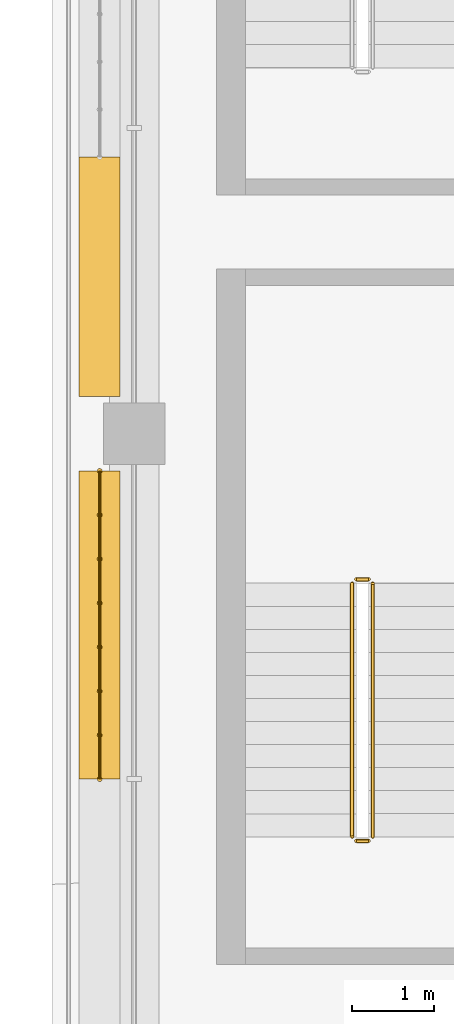
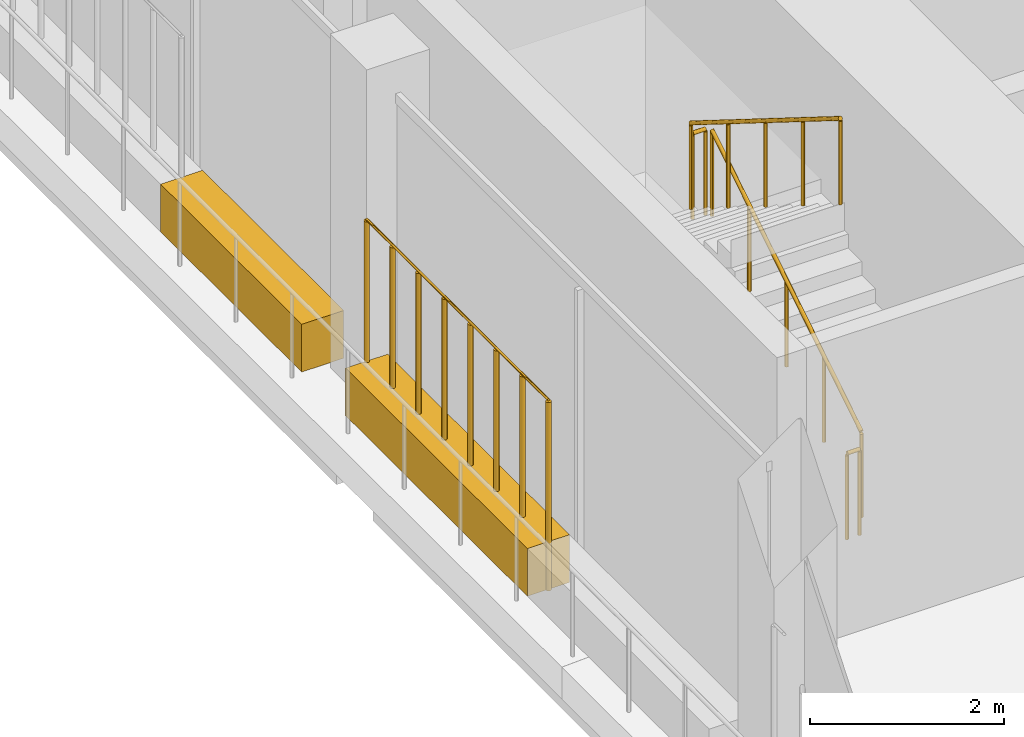
# One storey, part 16 of 20: 5 railings, 2 coverings.
"""IFC4 building model written with IfcOpenShell, lengths in metres."""

from ifc_helpers import new_model, si_unit, direction, frame, origin, origin_2d, place, context, subcontext, project, spatial, rectangle, circle, extrude, material, material_profile, profile_set, type_object, element, save


model = new_model("IFC4")

# Units and contexts
model_context = context("Model", 3, precision=1e-05, world=origin(), true_north=direction((0.0, 1.0)))
body_context = subcontext(model_context, "Body", "Model", "MODEL_VIEW")
ifc_project = project(units=[si_unit("LENGTHUNIT", "METRE"), si_unit("AREAUNIT", "SQUARE_METRE"), si_unit("VOLUMEUNIT", "CUBIC_METRE"), si_unit("PLANEANGLEUNIT", "RADIAN"), si_unit("MASSUNIT", "GRAM", prefix="KILO")], contexts=[model_context])

# Site, building, storey
site_placement = place(None, origin())
site = spatial("IfcSite", under=ifc_project, at=site_placement, CompositionType="ELEMENT")
building_placement = place(site_placement, origin())
building = spatial("IfcBuilding", under=site, at=building_placement, Name="Kawkab Arch Medical Tower", CompositionType="ELEMENT")
storey_placement = place(building_placement, frame((0.0, 0.0, 328.0)))
storey = spatial("IfcBuildingStorey", under=building, at=storey_placement, Name="L76", CompositionType="ELEMENT", Elevation=328.0)

# Coverings
ifc_material_1 = material(Name="Planting soil in a precast trough", Category="concrete")
ifc_material_profile = material_profile(ifc_material_1, rectangle(XDim=0.5, YDim=0.60009765625, at=origin_2d()), Name="Trough 500x600")
ifc_profile_set = profile_set([ifc_material_profile], Name="Planting soil in a precast trough")
covering_type = type_object("IfcCoveringType", Name="Planter trough 500 x 600", PredefinedType="USERDEFINED", material=ifc_profile_set)
covering_1_placement = place(storey_placement, frame((-0.419921875, -21.0, 0.300048828125), z_axis=(0.0, 1.0, 0.0), x_axis=(-1.0, 0.0, 0.0)))
element("IfcCovering", 1, at=covering_1_placement, inside=storey, type_object=covering_type, Name="Planter L76.LOG-01-01.7", ObjectType="PLANTER", PredefinedType="USERDEFINED", context=body_context, shape_type="SweptSolid", body=[
    extrude(rectangle(XDim=0.5, YDim=0.60009765625, at=origin_2d()), origin(), (0.0, 0.0, 1.0), 3.7470703125),
])
covering_2_placement = place(storey_placement, frame((-0.419921875, -16.346923828125, 0.300048828125), z_axis=(0.0, 1.0, 0.0), x_axis=(-1.0, 0.0, 0.0)))
element("IfcCovering", 2, at=covering_2_placement, inside=storey, type_object=covering_type, Name="Planter L76.LOG-01-01.8", ObjectType="PLANTER", PredefinedType="USERDEFINED", context=body_context, shape_type="SweptSolid", body=[
    extrude(rectangle(XDim=0.5, YDim=0.60009765625, at=origin_2d()), origin(), (0.0, 0.0, 1.0), 2.909912109375),
])

# Railings
ifc_material_2 = material(Name="Bronze anodised aluminium trellis for climbing plants", Category="aluminium")
railing_type_1 = type_object("IfcRailingType", Name="Planting trellis 2400", PredefinedType="USERDEFINED", material=ifc_material_2)
railing_1_placement = place(storey_placement, frame((-0.419921875, -21.0, 0.0)))
element("IfcRailing", 3, at=railing_1_placement, inside=storey, type_object=railing_type_1, Name="Planting trellis L76.LOG-01-01.7", ObjectType="TRELLIS", PredefinedType="USERDEFINED", context=body_context, shape_type="SweptSolid", body=[
    extrude(circle(Radius=0.01513671875, at=origin_2d()), frame((0.0, 0.0, 2.384765625), z_axis=(0.0, 1.0, 0.0), x_axis=(-1.0, 0.0, 0.0)), (0.0, 0.0, 1.0), 3.7470703125),
    extrude(circle(Radius=0.030029296875, at=origin_2d()), origin(), (0.0, 0.0, 1.0), 2.369873046875),
    extrude(circle(Radius=0.030029296875, at=origin_2d()), frame((0.0, 0.535400390625, 0.0)), (0.0, 0.0, 1.0), 2.369873046875),
    extrude(circle(Radius=0.030029296875, at=origin_2d()), frame((0.0, 1.070556640625, 0.0)), (0.0, 0.0, 1.0), 2.369873046875),
    extrude(circle(Radius=0.030029296875, at=origin_2d()), frame((0.0, 1.60595703125, 0.0)), (0.0, 0.0, 1.0), 2.369873046875),
    extrude(circle(Radius=0.030029296875, at=origin_2d()), frame((0.0, 2.14111328125, 0.0)), (0.0, 0.0, 1.0), 2.369873046875),
    extrude(circle(Radius=0.030029296875, at=origin_2d()), frame((0.0, 2.676513671875, 0.0)), (0.0, 0.0, 1.0), 2.369873046875),
    extrude(circle(Radius=0.030029296875, at=origin_2d()), frame((0.0, 3.211669921875, 0.0)), (0.0, 0.0, 1.0), 2.369873046875),
    extrude(circle(Radius=0.030029296875, at=origin_2d()), frame((0.0, 3.7470703125, 0.0)), (0.0, 0.0, 1.0), 2.369873046875),
])
ifc_material_3 = material(Name="Stainless steel", Category="steel")
railing_type_2 = type_object("IfcRailingType", Name="Stair guard 1100", PredefinedType="GUARDRAIL", material=ifc_material_3)
railing_2_placement = place(storey_placement, frame((2.89990234375, -21.699951171875, 0.175048828125)))
element("IfcRailing", 4, at=railing_2_placement, inside=storey, type_object=railing_type_2, Name="L76 ST2 stair guard 1", PredefinedType="GUARDRAIL", context=body_context, shape_type="SweptSolid", body=[
    extrude(circle(Radius=0.02392578125, at=origin_2d()), frame((0.0, 0.0, 1.076171875), z_axis=(0.0, 0.847979421464, 0.530029150871), x_axis=(-1.0, 0.0, 0.0)), (0.0, 0.0, 1.0), 3.632080078125),
    extrude(circle(Radius=0.02099609375, at=origin_2d()), origin(), (0.0, 0.0, 1.0), 1.052001953125),
    extrude(circle(Radius=0.02099609375, at=origin_2d()), frame((0.0, 0.77001953125, 0.481201171875)), (0.0, 0.0, 1.0), 1.052001953125),
    extrude(circle(Radius=0.02099609375, at=origin_2d()), frame((0.0, 1.5400390625, 0.96240234375)), (0.0, 0.0, 1.0), 1.052001953125),
    extrude(circle(Radius=0.02099609375, at=origin_2d()), frame((0.0, 2.309814453125, 1.44384765625)), (0.0, 0.0, 1.0), 1.052001953125),
    extrude(circle(Radius=0.02099609375, at=origin_2d()), frame((0.0, 3.079833984375, 1.925048828125)), (0.0, 0.0, 1.0), 1.052001953125),
])
railing_3_placement = place(storey_placement, frame((2.85009765625, -18.570068359375, 2.10009765625)))
element("IfcRailing", 5, at=railing_3_placement, inside=storey, type_object=railing_type_2, Name="L76 ST2 stair guard 2", PredefinedType="GUARDRAIL", context=body_context, shape_type="SweptSolid", body=[
    extrude(circle(Radius=0.02392578125, at=origin_2d()), frame((0.0, 0.0, 1.076171875), z_axis=(-1.0, 0.0, 0.0), x_axis=(0.0, -1.0, 0.0)), (0.0, 0.0, 1.0), 0.150146484375),
    extrude(circle(Radius=0.02099609375, at=origin_2d()), origin(), (0.0, 0.0, 1.0), 1.052001953125),
    extrude(circle(Radius=0.02099609375, at=origin_2d()), frame((-0.150146484375, 0.0, 0.0)), (0.0, 0.0, 1.0), 1.052001953125),
])
railing_4_placement = place(storey_placement, frame((2.64990234375, -18.6201171875, 2.27490234375)))
element("IfcRailing", 6, at=railing_4_placement, inside=storey, type_object=railing_type_2, Name="L76 ST2 stair guard 3", PredefinedType="GUARDRAIL", context=body_context, shape_type="SweptSolid", body=[
    extrude(circle(Radius=0.02392578125, at=origin_2d()), frame((0.0, 0.0, 1.076171875), z_axis=(0.0, -0.847979421464, 0.530029150871), x_axis=(1.0, 0.0, 0.0)), (0.0, 0.0, 1.0), 3.632080078125),
    extrude(circle(Radius=0.02099609375, at=origin_2d()), origin(), (0.0, 0.0, 1.0), 1.052001953125),
    extrude(circle(Radius=0.02099609375, at=origin_2d()), frame((0.0, -0.77001953125, 0.481201171875)), (0.0, 0.0, 1.0), 1.052001953125),
    extrude(circle(Radius=0.02099609375, at=origin_2d()), frame((0.0, -1.5400390625, 0.96240234375)), (0.0, 0.0, 1.0), 1.052001953125),
    extrude(circle(Radius=0.02099609375, at=origin_2d()), frame((0.0, -2.309814453125, 1.44384765625)), (0.0, 0.0, 1.0), 1.052001953125),
    extrude(circle(Radius=0.02099609375, at=origin_2d()), frame((0.0, -3.079833984375, 1.925048828125)), (0.0, 0.0, 1.0), 1.052001953125),
])
railing_5_placement = place(storey_placement, frame((2.85009765625, -21.75, 0.0)))
element("IfcRailing", 7, at=railing_5_placement, inside=storey, type_object=railing_type_2, Name="L76 ST2 stair guard 4", PredefinedType="GUARDRAIL", context=body_context, shape_type="SweptSolid", body=[
    extrude(circle(Radius=0.02392578125, at=origin_2d()), frame((0.0, 0.0, 1.076171875), z_axis=(-1.0, 0.0, 0.0), x_axis=(0.0, -1.0, 0.0)), (0.0, 0.0, 1.0), 0.150146484375),
    extrude(circle(Radius=0.02099609375, at=origin_2d()), origin(), (0.0, 0.0, 1.0), 1.052001953125),
    extrude(circle(Radius=0.02099609375, at=origin_2d()), frame((-0.150146484375, 0.0, 0.0)), (0.0, 0.0, 1.0), 1.052001953125),
])

save(model, "model.ifc")
